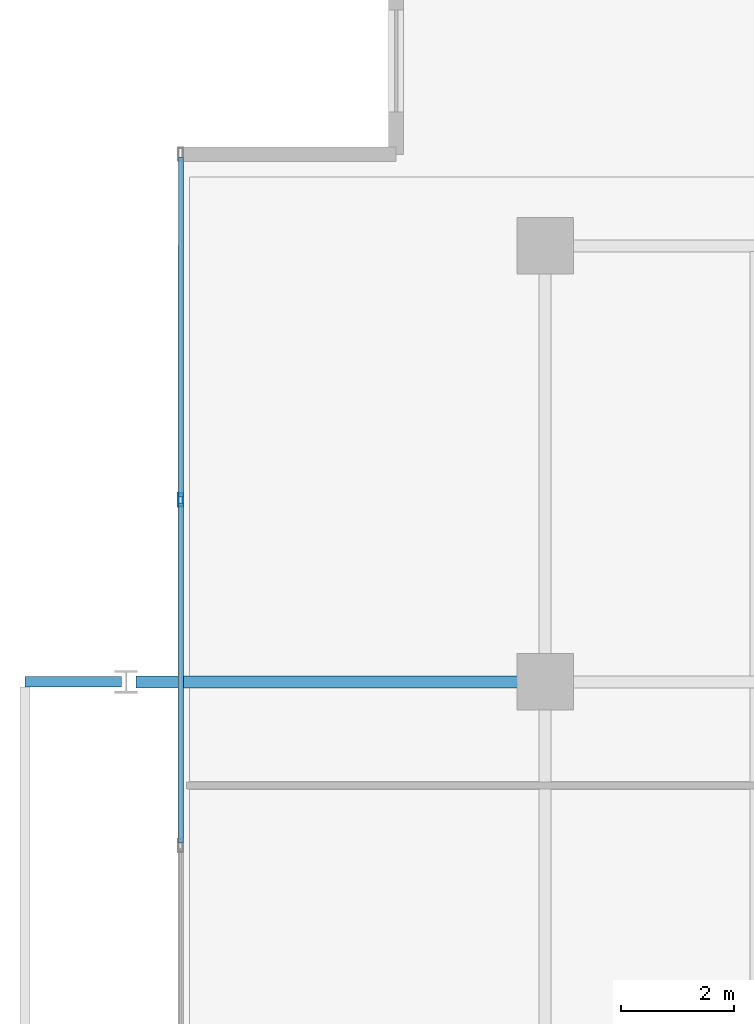
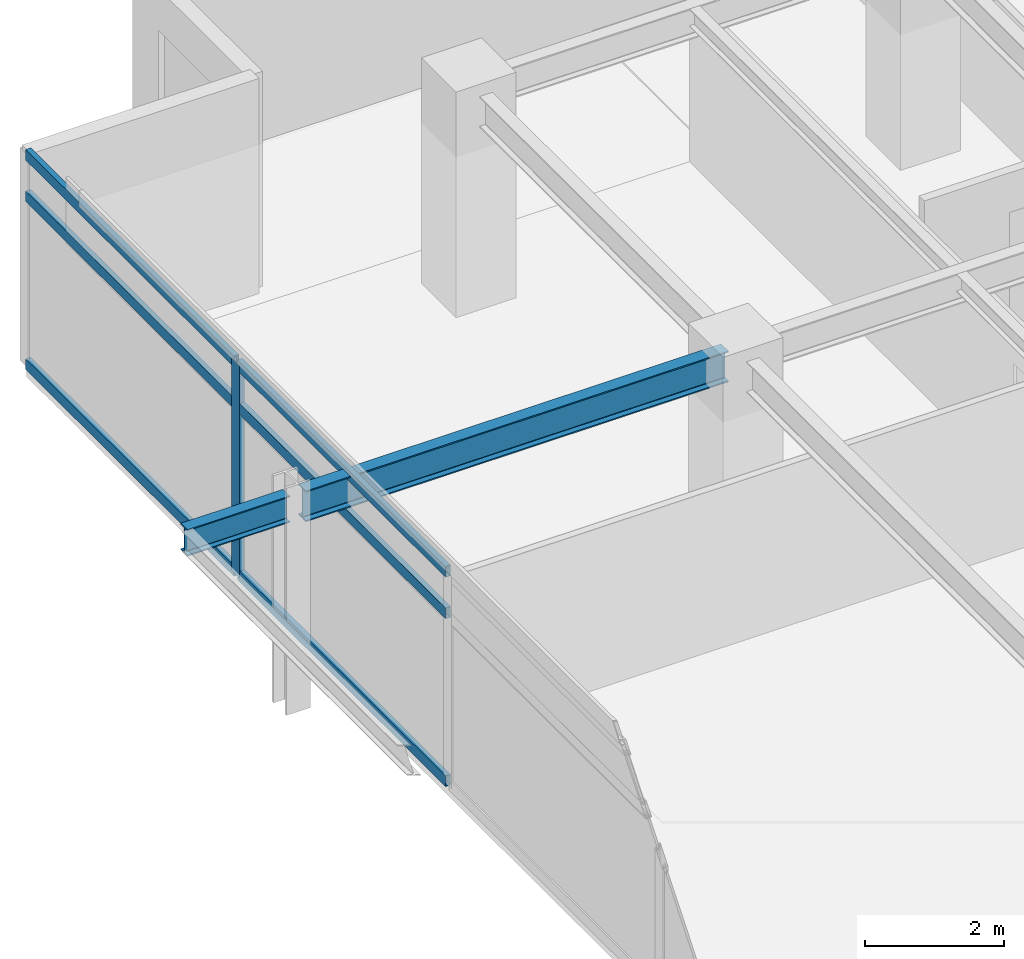
# One storey, part 9 of 21: 7 members, 2 beams, 1 element without a shape of its own.
"""IFC4 building model written with IfcOpenShell, lengths in metres."""

from ifc_helpers import new_model, si_unit, direction, frame, origin, origin_2d, place, context, subcontext, project, spatial, hollow_rectangle, i_section, extrude, material, material_profile, profile_set, type_object, element, aggregate, save


model = new_model("IFC4")

# Units and contexts
model_context = context("Model", 3, precision=1e-05, world=origin(), true_north=direction((0.0, 1.0)))
body_context = subcontext(model_context, "Body", "Model", "MODEL_VIEW")
ifc_project = project(units=[si_unit("LENGTHUNIT", "METRE"), si_unit("AREAUNIT", "SQUARE_METRE"), si_unit("VOLUMEUNIT", "CUBIC_METRE"), si_unit("PLANEANGLEUNIT", "RADIAN"), si_unit("MASSUNIT", "GRAM", prefix="KILO")], contexts=[model_context])

# Site, building, storey
site_placement = place(None, origin())
site = spatial("IfcSite", under=ifc_project, at=site_placement, CompositionType="ELEMENT")
building_placement = place(site_placement, origin())
building = spatial("IfcBuilding", under=site, at=building_placement, Name="Kovane Verandah Tower", CompositionType="ELEMENT")
storey_placement = place(building_placement, frame((0.0, 0.0, 326.800048828125)))
storey = spatial("IfcBuildingStorey", under=building, at=storey_placement, Name="L76", CompositionType="ELEMENT", Elevation=326.800048828125)

# Beam
ifc_material_1 = material(Name="Steel S355", Category="steel")
ifc_material_profile_1 = material_profile(ifc_material_1, i_section(OverallWidth=0.2119140625, OverallDepth=0.54443359375, WebThickness=0.0126953125, FlangeThickness=0.021240234375, FilletRadius=0.0126953125, at=origin_2d()), Name="UB533x210x122")
ifc_profile_set_1 = profile_set([ifc_material_profile_1], Name="Steel S355")
beam_type_1 = type_object("IfcBeamType", Name="BM-UB533x122", PredefinedType="BEAM", material=ifc_profile_set_1)
beam_1_placement = place(storey_placement, frame((21.419921875, 36.5, 3.48779296875), z_axis=(-1.0, 0.0, 0.0), x_axis=(0.0, -1.0, 0.0)))
element("IfcBeam", 1, at=beam_1_placement, inside=storey, type_object=beam_type_1, Name="L76 Primary Tower Girder G-VW2", PredefinedType="BEAM", context=body_context, shape_type="SweptSolid", body=[
    extrude(i_section(OverallWidth=0.2119140625, OverallDepth=0.54443359375, WebThickness=0.0126953125, FlangeThickness=0.021240234375, FilletRadius=0.0126953125, at=origin_2d()), origin(), (0.0, 0.0, 1.0), 7.0400390625),
])

# Curtain wall, members
ifc_material_2 = material(Name="Champagne Anodised Aluminium Frame with Low-E Clear Laminated Glass", Category="aluminium")
curtain_wall_type = type_object("IfcCurtainWallType", Name="CW-SYS-05-HIGH", PredefinedType="NOTDEFINED", material=ifc_material_2)
curtain_wall_placement = place(storey_placement, origin())
curtain_wall = element("IfcCurtainWall", 2, at=curtain_wall_placement, inside=storey, type_object=curtain_wall_type, Name="L76 W Unitised Curtain Wall", PredefinedType="NOTDEFINED")
ifc_material_3 = material(Name="Champagne Anodised Aluminium 6063-T6", Category="aluminium")
ifc_material_profile_2 = material_profile(ifc_material_3, hollow_rectangle(XDim=0.0849609375, YDim=0.22998046875, WallThickness=0.00390625, at=origin_2d()), Name="AL85x230x4")
ifc_profile_set_2 = profile_set([ifc_material_profile_2], Name="Champagne Anodised Aluminium 6063-T6")
member_type_1 = type_object("IfcMemberType", Name="CW-MUL-85x230", PredefinedType="MULLION", material=ifc_profile_set_2)
member_1_placement = place(storey_placement, frame((15.16845703125, 39.71044921875, 0.02001953125), z_axis=(0.0, 0.0, 1.0), x_axis=(-1.0, 0.0, 0.0)))
member_1 = element("IfcMember", 3, at=member_1_placement, type_object=member_type_1, Name="L76 W Unitised Curtain Wall Mullion 2", PredefinedType="MULLION", context=body_context, shape_type="SweptSolid", body=[
    extrude(hollow_rectangle(XDim=0.0849609375, YDim=0.22998046875, WallThickness=0.00390625, at=origin_2d()), origin(), (0.0, 0.0, 1.0), 3.744873046875),
])
ifc_material_profile_3 = material_profile(ifc_material_3, hollow_rectangle(XDim=0.0849609375, YDim=0.18994140625, WallThickness=0.00390625, at=origin_2d()), Name="AL85x190x4")
ifc_profile_set_3 = profile_set([ifc_material_profile_3], Name="Champagne Anodised Aluminium 6063-T6")
member_type_2 = type_object("IfcMemberType", Name="CW-TRN-85x190", PredefinedType="USERDEFINED", material=ifc_profile_set_3)
member_2_placement = place(storey_placement, frame((15.16845703125, 45.765625, 0.050048828125), z_axis=(0.0, -1.0, 0.0), x_axis=(1.0, 0.0, 0.0)))
member_2 = element("IfcMember", 4, at=member_2_placement, type_object=member_type_2, Name="L76 W Unitised Curtain Wall Transom TB Bay 1", ObjectType="TRANSOM", PredefinedType="USERDEFINED", context=body_context, shape_type="SweptSolid", body=[
    extrude(hollow_rectangle(XDim=0.0849609375, YDim=0.18994140625, WallThickness=0.00390625, at=origin_2d()), origin(), (0.0, 0.0, 1.0), 6.005126953125),
])
member_3_placement = place(storey_placement, frame((15.16845703125, 45.765625, 3.0048828125), z_axis=(0.0, -1.0, 0.0), x_axis=(1.0, 0.0, 0.0)))
member_3 = element("IfcMember", 5, at=member_3_placement, type_object=member_type_2, Name="L76 W Unitised Curtain Wall Transom TM Bay 1", ObjectType="TRANSOM", PredefinedType="USERDEFINED", context=body_context, shape_type="SweptSolid", body=[
    extrude(hollow_rectangle(XDim=0.0849609375, YDim=0.18994140625, WallThickness=0.00390625, at=origin_2d()), origin(), (0.0, 0.0, 1.0), 6.005126953125),
])
member_4_placement = place(storey_placement, frame((15.16845703125, 45.765625, 3.73486328125), z_axis=(0.0, -1.0, 0.0), x_axis=(1.0, 0.0, 0.0)))
member_4 = element("IfcMember", 6, at=member_4_placement, type_object=member_type_2, Name="L76 W Unitised Curtain Wall Transom TT Bay 1", ObjectType="TRANSOM", PredefinedType="USERDEFINED", context=body_context, shape_type="SweptSolid", body=[
    extrude(hollow_rectangle(XDim=0.0849609375, YDim=0.18994140625, WallThickness=0.00390625, at=origin_2d()), origin(), (0.0, 0.0, 1.0), 6.005126953125),
])
member_5_placement = place(storey_placement, frame((15.16845703125, 39.660400390625, 0.050048828125), z_axis=(0.0, -1.0, 0.0), x_axis=(1.0, 0.0, 0.0)))
member_5 = element("IfcMember", 7, at=member_5_placement, type_object=member_type_2, Name="L76 W Unitised Curtain Wall Transom TB Bay 2", ObjectType="TRANSOM", PredefinedType="USERDEFINED", context=body_context, shape_type="SweptSolid", body=[
    extrude(hollow_rectangle(XDim=0.0849609375, YDim=0.18994140625, WallThickness=0.00390625, at=origin_2d()), origin(), (0.0, 0.0, 1.0), 6.005126953125),
])
member_6_placement = place(storey_placement, frame((15.16845703125, 39.660400390625, 3.0048828125), z_axis=(0.0, -1.0, 0.0), x_axis=(1.0, 0.0, 0.0)))
member_6 = element("IfcMember", 8, at=member_6_placement, type_object=member_type_2, Name="L76 W Unitised Curtain Wall Transom TM Bay 2", ObjectType="TRANSOM", PredefinedType="USERDEFINED", context=body_context, shape_type="SweptSolid", body=[
    extrude(hollow_rectangle(XDim=0.0849609375, YDim=0.18994140625, WallThickness=0.00390625, at=origin_2d()), origin(), (0.0, 0.0, 1.0), 6.005126953125),
])
member_7_placement = place(storey_placement, frame((15.16845703125, 39.660400390625, 3.73486328125), z_axis=(0.0, -1.0, 0.0), x_axis=(1.0, 0.0, 0.0)))
member_7 = element("IfcMember", 9, at=member_7_placement, type_object=member_type_2, Name="L76 W Unitised Curtain Wall Transom TT Bay 2", ObjectType="TRANSOM", PredefinedType="USERDEFINED", context=body_context, shape_type="SweptSolid", body=[
    extrude(hollow_rectangle(XDim=0.0849609375, YDim=0.18994140625, WallThickness=0.00390625, at=origin_2d()), origin(), (0.0, 0.0, 1.0), 6.005126953125),
])
aggregate(curtain_wall, [member_1, member_2, member_3, member_4, member_5, member_6, member_7])

# Beam
ifc_material_profile_4 = material_profile(ifc_material_1, i_section(OverallWidth=0.19287109375, OverallDepth=0.46728515625, WebThickness=0.011474609375, FlangeThickness=0.01953125, FilletRadius=0.01025390625, at=origin_2d()), Name="UB457x191x98")
ifc_profile_set_4 = profile_set([ifc_material_profile_4], Name="Steel S355")
beam_type_2 = type_object("IfcBeamType", Name="JST-UB457x98", PredefinedType="JOIST", material=ifc_profile_set_4)
beam_2_placement = place(storey_placement, frame((14.1201171875, 36.5, 3.5263671875), z_axis=(-1.0, 0.0, 0.0), x_axis=(0.0, -1.0, 0.0)))
element("IfcBeam", 10, at=beam_2_placement, inside=storey, type_object=beam_type_2, Name="L76 West Planter Girder 2", PredefinedType="JOIST", context=body_context, shape_type="SweptSolid", body=[
    extrude(i_section(OverallWidth=0.19287109375, OverallDepth=0.46728515625, WebThickness=0.011474609375, FlangeThickness=0.01953125, FilletRadius=0.01025390625, at=origin_2d()), origin(), (0.0, 0.0, 1.0), 1.70654296875),
])

save(model, "model.ifc")
